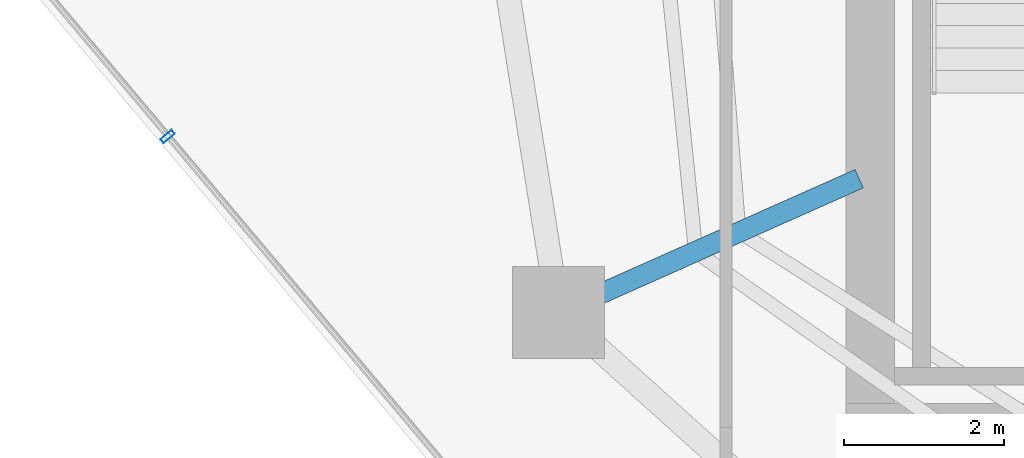
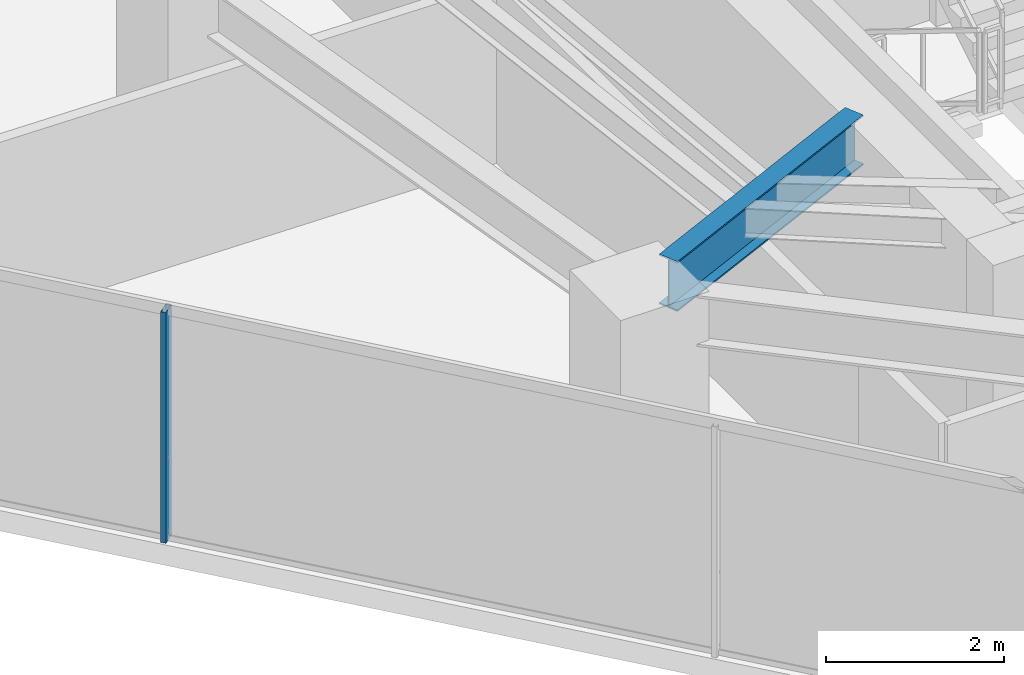
# One storey, part 7 of 27: 1 beam, 1 member, 1 element without a shape of its own.
"""IFC4 building model written with IfcOpenShell, lengths in metres."""

from ifc_helpers import new_model, si_unit, direction, frame, origin, origin_2d, place, context, subcontext, project, spatial, hollow_rectangle, i_section, extrude, material, layer, layer_set, material_profile, profile_set, type_object, element, aggregate, save


model = new_model("IFC4")

# Units and contexts
model_context = context("Model", 3, precision=1e-05, world=origin(), true_north=direction((0.0, 1.0)))
body_context = subcontext(model_context, "Body", "Model", "MODEL_VIEW")
ifc_project = project(units=[si_unit("LENGTHUNIT", "METRE"), si_unit("AREAUNIT", "SQUARE_METRE"), si_unit("VOLUMEUNIT", "CUBIC_METRE"), si_unit("PLANEANGLEUNIT", "RADIAN"), si_unit("MASSUNIT", "GRAM", prefix="KILO")], contexts=[model_context])

# Site, building, storey
site_placement = place(None, origin())
site = spatial("IfcSite", under=ifc_project, at=site_placement, CompositionType="ELEMENT")
building_placement = place(site_placement, origin())
building = spatial("IfcBuilding", under=site, at=building_placement, Name="Qarnah Convention Tower", CompositionType="ELEMENT")
storey_placement = place(building_placement, frame((0.0, 0.0, 103.949951171875)))
storey = spatial("IfcBuildingStorey", under=building, at=storey_placement, Name="L27", CompositionType="ELEMENT", Elevation=103.949951171875)

# Beam
ifc_material_1 = material(Name="Structural steel S355JR", Category="steel")
ifc_material_profile_1 = material_profile(ifc_material_1, i_section(OverallWidth=0.25390625, OverallDepth=0.68798828125, WebThickness=0.012939453125, FlangeThickness=0.02099609375, at=origin_2d()), Name="W690X152")
ifc_profile_set_1 = profile_set([ifc_material_profile_1], Name="Structural steel S355JR")
beam_type = type_object("IfcBeamType", Name="BM-RAD-W690", PredefinedType="BEAM", material=ifc_profile_set_1)
beam_placement = place(storey_placement, frame((26.6630859375, 21.708984375, 2.825927734375), z_axis=(-0.913588053958, -0.4066409567, 0.0), x_axis=(0.4066409567, -0.913588053958, 0.0)))
element("IfcBeam", 1, at=beam_placement, inside=storey, type_object=beam_type, Name="L27 beam BM-L27-RAD-06", PredefinedType="BEAM", context=body_context, shape_type="SweptSolid", body=[
    extrude(i_section(OverallWidth=0.25390625, OverallDepth=0.68798828125, WebThickness=0.012939453125, FlangeThickness=0.02099609375, at=origin_2d()), origin(), (0.0, 0.0, 1.0), 3.560791015625),
])

# Curtain wall, member
ifc_material_2 = material(Name="Tempered Low-E dark glass", Category="glass")
ifc_layer = layer(ifc_material_2, 0.169921875)
ifc_layer_set = layer_set([ifc_layer], Name="Tempered Low-E dark glass")
curtain_wall_type = type_object("IfcCurtainWallType", Name="CWS-02", PredefinedType="NOTDEFINED", material=ifc_layer_set)
curtain_wall_placement = place(storey_placement, origin())
curtain_wall = element("IfcCurtainWall", 2, at=curtain_wall_placement, inside=storey, type_object=curtain_wall_type, Name="L27 unitised curtain wall CW-L27-F1", PredefinedType="NOTDEFINED")
ifc_material_3 = material(Name="Black anodised aluminium", Category="aluminium")
ifc_material_profile_2 = material_profile(ifc_material_3, hollow_rectangle(XDim=0.06494140625, YDim=0.179931640625, WallThickness=0.00390625, at=origin_2d()), Name="MUL-65X180")
ifc_profile_set_2 = profile_set([ifc_material_profile_2], Name="Black anodised aluminium")
member_type = type_object("IfcMemberType", Name="MUL-T2", PredefinedType="MULLION", material=ifc_profile_set_2)
member_placement = place(storey_placement, frame((18.022216796875, 22.237060546875, 0.0), z_axis=(0.0, 0.0, 1.0), x_axis=(-0.643878016017, 0.76512815952, 0.0)))
member = element("IfcMember", 3, at=member_placement, type_object=member_type, Name="CW-L27-F1 mullion 5", PredefinedType="MULLION", context=body_context, shape_type="SweptSolid", body=[
    extrude(hollow_rectangle(XDim=0.06494140625, YDim=0.179931640625, WallThickness=0.00390625, at=origin_2d()), origin(), (0.0, 0.0, 1.0), 3.170166015625),
])
aggregate(curtain_wall, [member])

save(model, "model.ifc")
